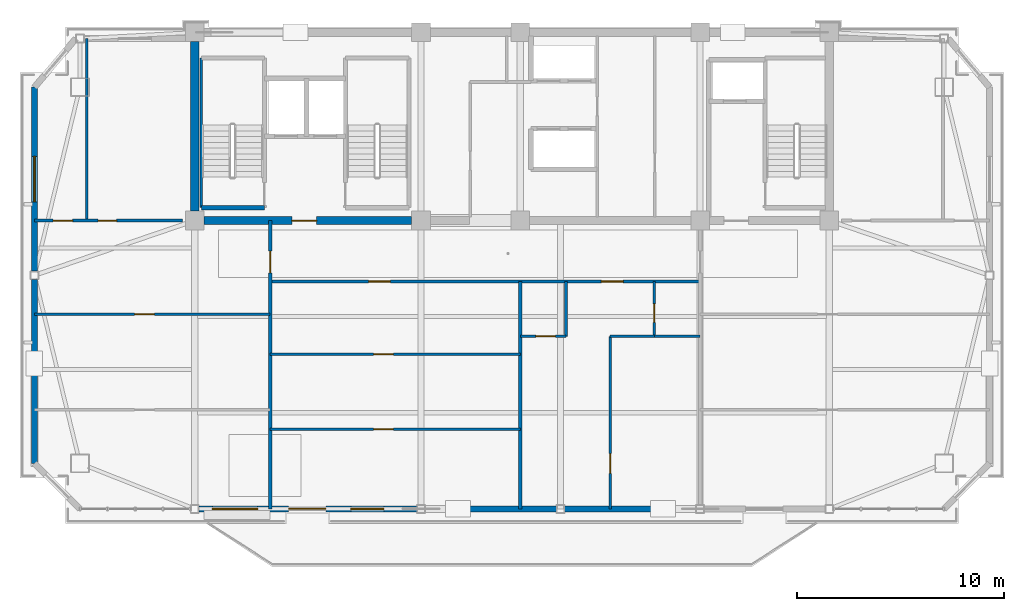
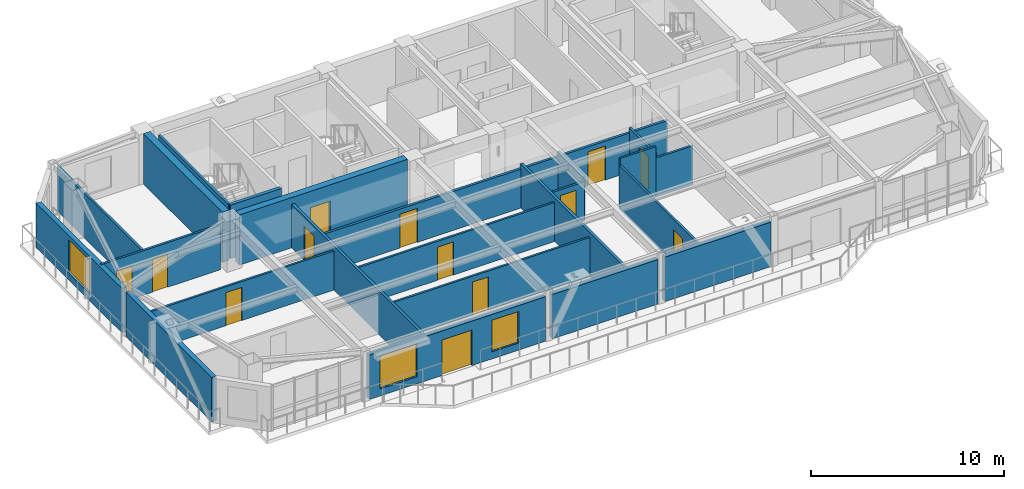
# One storey, part 6 of 12: 23 walls, 13 doors, 3 windows, 16 openings.
"""IFC4 building model written with IfcOpenShell, lengths in metres."""

from ifc_helpers import new_model, si_unit, direction, frame, frame_2d, origin, place, context, subcontext, project, spatial, rectangle, extrude, source, transform, mapped, material, layer, layer_set, type_object, element, fill, save


model = new_model("IFC4")

# Units and contexts
model_context = context("Model", 3, precision=1e-05, world=origin(), true_north=direction((0.0, 1.0)))
body_context = subcontext(model_context, "Body", "Model", "MODEL_VIEW")
ifc_project = project(units=[si_unit("LENGTHUNIT", "METRE"), si_unit("AREAUNIT", "SQUARE_METRE"), si_unit("VOLUMEUNIT", "CUBIC_METRE"), si_unit("PLANEANGLEUNIT", "RADIAN"), si_unit("MASSUNIT", "GRAM", prefix="KILO")], contexts=[model_context])

# Site, building, storey
site_placement = place(None, origin())
site = spatial("IfcSite", under=ifc_project, at=site_placement, CompositionType="ELEMENT")
building_placement = place(site_placement, origin())
building = spatial("IfcBuilding", under=site, at=building_placement, Name="Giltprow Tower", CompositionType="ELEMENT")
storey_placement = place(building_placement, frame((0.0, 0.0, 345.89990234375)))
storey = spatial("IfcBuildingStorey", under=building, at=storey_placement, Name="L90", CompositionType="ELEMENT", Elevation=345.89990234375)

# Wall, openings, windows, door
ifc_material_1 = material(Name="Precast concrete C40", Category="concrete")
ifc_layer_1 = layer(ifc_material_1, 0.280029296875, Name="Precast concrete C40")
ifc_layer_set_1 = layer_set([ifc_layer_1], Name="Precast concrete C40")
wall_type_1 = type_object("IfcWallType", Name="EW-TOW-BRONZE-280", PredefinedType="SOLIDWALL", material=ifc_layer_set_1)
wall_1_placement = place(storey_placement, frame((20.050048828125, 23.5, 0.0), z_axis=(0.0, 0.0, 1.0), x_axis=(1.0, 0.0, 0.0)))
wall_1 = element("IfcWall", 1, at=wall_1_placement, inside=storey, type_object=wall_type_1, Name="L90 South Expressed Frame Wall 2", PredefinedType="SOLIDWALL", context=body_context, shape_type="SweptSolid", body=[
    extrude(rectangle(XDim=10.550048828125, YDim=0.280029296875, at=frame_2d((5.27490234375, 0.0))), origin(), (0.0, 0.0, 1.0), 2.815185546875),
])
opening_1_placement = place(wall_1_placement, frame((4.35009765625, 0.0, 0.0)))
opening_1 = element("IfcOpeningElement", 2, at=opening_1_placement, cuts=wall_1, Name="Opening ED25", PredefinedType="OPENING", context=body_context, shape_type="SweptSolid", body=[
    extrude(rectangle(XDim=1.800048828125, YDim=2.25, at=frame_2d((0.89990234375, 1.125))), frame((0.0, 0.14990234375, 0.0), z_axis=(0.0, -1.0, 0.0), x_axis=(1.0, 0.0, 0.0)), (0.0, 0.0, 1.0), 0.300048828125),
])
opening_2_placement = place(wall_1_placement, frame((0.64990234375, 0.0, 0.449951171875)))
opening_2 = element("IfcOpeningElement", 3, at=opening_2_placement, cuts=wall_1, Name="Opening WN27", PredefinedType="OPENING", context=body_context, shape_type="SweptSolid", body=[
    extrude(rectangle(XDim=2.199951171875, YDim=2.10009765625, at=frame_2d((1.10009765625, 1.050048828125))), frame((0.0, 0.14990234375, 0.0), z_axis=(0.0, -1.0, 0.0), x_axis=(1.0, 0.0, 0.0)), (0.0, 0.0, 1.0), 0.300048828125),
])
opening_3_placement = place(wall_1_placement, frame((7.35009765625, 0.0, 0.449951171875)))
opening_3 = element("IfcOpeningElement", 4, at=opening_3_placement, cuts=wall_1, Name="Opening WN17", PredefinedType="OPENING", context=body_context, shape_type="SweptSolid", body=[
    extrude(rectangle(XDim=1.60009765625, YDim=2.0, at=frame_2d((0.800048828125, 1.0))), frame((0.0, 0.14990234375, 0.0), z_axis=(0.0, -1.0, 0.0), x_axis=(1.0, 0.0, 0.0)), (0.0, 0.0, 1.0), 0.300048828125),
])
ifc_material_2 = material(Name="Insulated glass", Category="glass")
window_type_1 = type_object("IfcWindowType", Name="WN-COR-1600x2000", PartitioningType="SINGLE_PANEL", PredefinedType="WINDOW", material=ifc_material_2)
shared_shape_1 = source(origin(), body_context, "Body", "SweptSolid", [
    extrude(rectangle(XDim=1.60009765625, YDim=2.0, at=frame_2d((0.800048828125, 1.0))), frame((0.0, 0.030029296875, 0.0), z_axis=(0.0, -1.0, 0.0), x_axis=(1.0, 0.0, 0.0)), (0.0, 0.0, 1.0), 0.06005859375),
])
window_1_placement = place(opening_3_placement, origin())
window_1 = element("IfcWindow", 5, at=window_1_placement, inside=storey, type_object=window_type_1, Name="L90 South Window 2B", OverallHeight=2.0, OverallWidth=1.60009765625, PartitioningType="SINGLE_PANEL", PredefinedType="WINDOW", context=body_context, shape_type="MappedRepresentation", body=[
    mapped(shared_shape_1, transform((0.0, 0.0, 0.0), x_axis=(1.0, 0.0, 0.0), y_axis=(0.0, 1.0, 0.0), z_axis=(0.0, 0.0, 1.0), scale=1.0)),
])
fill(opening_3, window_1)
ifc_material_3 = material(Name="Anodized bronze and glass", Category="glass")
door_type_1 = type_object("IfcDoorType", Name="DR-BALC-SLIDE-1800", OperationType="SLIDING_TO_LEFT", PredefinedType="DOOR", material=ifc_material_3)
shared_shape_2 = source(origin(), body_context, "Body", "SweptSolid", [
    extrude(rectangle(XDim=1.800048828125, YDim=2.25, at=frame_2d((0.89990234375, 1.125))), frame((0.0, 0.02490234375, 0.0), z_axis=(0.0, -1.0, 0.0), x_axis=(1.0, 0.0, 0.0)), (0.0, 0.0, 1.0), 0.050048828125),
])
door_1_placement = place(opening_1_placement, origin())
door_1 = element("IfcDoor", 6, at=door_1_placement, inside=storey, type_object=door_type_1, Name="L90 Waterfront Balcony Sliding Door 1", OperationType="SLIDING_TO_LEFT", OverallHeight=2.25, OverallWidth=1.800048828125, PredefinedType="DOOR", context=body_context, shape_type="MappedRepresentation", body=[
    mapped(shared_shape_2, transform((0.0, 0.0, 0.0), x_axis=(1.0, 0.0, 0.0), y_axis=(0.0, 1.0, 0.0), z_axis=(0.0, 0.0, 1.0), scale=1.0)),
])
fill(opening_1, door_1)
window_type_2 = type_object("IfcWindowType", Name="WN-RES-2200x2100", PartitioningType="TRIPLE_PANEL_VERTICAL", PredefinedType="WINDOW", material=ifc_material_2)
shared_shape_3 = source(origin(), body_context, "Body", "SweptSolid", [
    extrude(rectangle(XDim=2.199951171875, YDim=2.10009765625, at=frame_2d((1.10009765625, 1.050048828125))), frame((0.0, 0.030029296875, 0.0), z_axis=(0.0, -1.0, 0.0), x_axis=(1.0, 0.0, 0.0)), (0.0, 0.0, 1.0), 0.06005859375),
])
window_2_placement = place(opening_2_placement, origin())
window_2 = element("IfcWindow", 7, at=window_2_placement, inside=storey, type_object=window_type_2, Name="L90 South Window 2A", OverallHeight=2.10009765625, OverallWidth=2.199951171875, PartitioningType="SINGLE_PANEL", PredefinedType="WINDOW", context=body_context, shape_type="MappedRepresentation", body=[
    mapped(shared_shape_3, transform((0.0, 0.0, 0.0), x_axis=(1.0, 0.0, 0.0), y_axis=(0.0, 1.0, 0.0), z_axis=(0.0, 0.0, 1.0), scale=1.0)),
])
fill(opening_2, window_2)

# Walls
for number, where, z_axis, x_axis, name in (
    (8, (31.0, 23.5, 0.0), (0.0, 0.0, 1.0), (1.0, 0.0, 0.0), "L90 South Expressed Frame Wall 3"),
    (9, (37.75, 23.5, 0.0), (0.0, 0.0, 1.0), (1.0, 0.0, 0.0), "L90 South Expressed Frame Wall 4"),
):
    element("IfcWall", number, at=place(storey_placement, frame(where, z_axis=z_axis, x_axis=x_axis)), inside=storey, type_object=wall_type_1, Name=name, PredefinedType="SOLIDWALL", context=body_context, shape_type="SweptSolid", body=[
        extrude(rectangle(XDim=6.35009765625, YDim=0.280029296875, at=frame_2d((3.175048828125, 0.0))), origin(), (0.0, 0.0, 1.0), 2.815185546875),
    ])
wall_2_placement = place(storey_placement, frame((12.10009765625, 25.699951171875, 0.0), z_axis=(0.0, 0.0, 1.0), x_axis=(0.0, 1.0, 0.0)))
element("IfcWall", 10, at=wall_2_placement, inside=storey, type_object=wall_type_1, Name="L90 W Wing Masonry Wall 1", PredefinedType="SOLIDWALL", context=body_context, shape_type="SweptSolid", body=[
    extrude(rectangle(XDim=8.900146484375, YDim=0.280029296875, at=frame_2d((4.4501953125, 0.0))), origin(), (0.0, 0.0, 1.0), 2.815185546875),
])

# Wall, opening, window
wall_3_placement = place(storey_placement, frame((12.10009765625, 35.0, 0.0), z_axis=(0.0, 0.0, 1.0), x_axis=(0.0, 1.0, 0.0)))
wall_3 = element("IfcWall", 11, at=wall_3_placement, inside=storey, type_object=wall_type_1, Name="L90 W Wing Masonry Wall 2", PredefinedType="SOLIDWALL", context=body_context, shape_type="SweptSolid", body=[
    extrude(rectangle(XDim=8.89990234375, YDim=0.280029296875, at=frame_2d((4.449951171875, 0.0))), origin(), (0.0, 0.0, 1.0), 2.815185546875),
])
opening_4_placement = place(wall_3_placement, frame((3.35009765625, 0.0, 0.449951171875)))
opening_4 = element("IfcOpeningElement", 12, at=opening_4_placement, cuts=wall_3, Name="Opening WN27", PredefinedType="OPENING", context=body_context, shape_type="SweptSolid", body=[
    extrude(rectangle(XDim=2.199951171875, YDim=2.10009765625, at=frame_2d((1.10009765625, 1.050048828125))), frame((0.0, 0.14990234375, 0.0), z_axis=(0.0, -1.0, 0.0), x_axis=(1.0, 0.0, 0.0)), (0.0, 0.0, 1.0), 0.300048828125),
])
window_3_placement = place(opening_4_placement, origin())
window_3 = element("IfcWindow", 13, at=window_3_placement, inside=storey, type_object=window_type_2, Name="L90 W Wing Window 2-1", OverallHeight=2.10009765625, OverallWidth=2.199951171875, PartitioningType="SINGLE_PANEL", PredefinedType="WINDOW", context=body_context, shape_type="MappedRepresentation", body=[
    mapped(shared_shape_3, transform((0.0, 0.0, 0.0), x_axis=(1.0, 0.0, 0.0), y_axis=(0.0, 1.0, 0.0), z_axis=(0.0, 0.0, 1.0), scale=1.0)),
])
fill(opening_4, window_3)

# Wall, openings, doors
ifc_material_4 = material(Name="Gypsum stud partition", Category="gypsum")
ifc_layer_2 = layer(ifc_material_4, 0.14990234375, Name="Gypsum stud partition")
ifc_layer_set_2 = layer_set([ifc_layer_2], Name="Gypsum stud partition")
wall_type_2 = type_object("IfcWallType", Name="IW-CORR-150", PredefinedType="PARTITIONING", material=ifc_layer_set_2)
wall_4_placement = place(storey_placement, frame((23.5, 34.5, 0.0), z_axis=(0.0, 0.0, 1.0), x_axis=(1.0, 0.0, 0.0)))
wall_4 = element("IfcWall", 14, at=wall_4_placement, inside=storey, type_object=wall_type_2, Name="L90 Residence Gallery Corridor Wall", PredefinedType="PARTITIONING", context=body_context, shape_type="SweptSolid", body=[
    extrude(rectangle(XDim=20.800048828125, YDim=0.14990234375, at=frame_2d((10.39990234375, 0.0))), origin(), (0.0, 0.0, 1.0), 2.47021484375),
])
opening_5_placement = place(wall_4_placement, frame((4.76708984375, 0.0, 0.0)))
opening_5 = element("IfcOpeningElement", 15, at=opening_5_placement, cuts=wall_4, Name="Opening ID31", PredefinedType="OPENING", context=body_context, shape_type="SweptSolid", body=[
    extrude(rectangle(XDim=1.050048828125, YDim=2.14990234375, at=frame_2d((0.52490234375, 1.074951171875))), frame((0.0, 0.0849609375, 0.0), z_axis=(0.0, -1.0, 0.0), x_axis=(1.0, 0.0, 0.0)), (0.0, 0.0, 1.0), 0.169921875),
])
opening_6_placement = place(wall_4_placement, frame((16.02490234375, 0.0, 0.0)))
opening_6 = element("IfcOpeningElement", 16, at=opening_6_placement, cuts=wall_4, Name="Opening ID31", PredefinedType="OPENING", context=body_context, shape_type="SweptSolid", body=[
    extrude(rectangle(XDim=1.050048828125, YDim=2.14990234375, at=frame_2d((0.52490234375, 1.074951171875))), frame((0.0, 0.0849609375, 0.0), z_axis=(0.0, -1.0, 0.0), x_axis=(1.0, 0.0, 0.0)), (0.0, 0.0, 1.0), 0.169921875),
])
ifc_material_5 = material(Name="Engineered timber", Category="wood")
door_type_2 = type_object("IfcDoorType", Name="DR-SUITE-1050", OperationType="SINGLE_SWING_LEFT", PredefinedType="DOOR", material=ifc_material_5)
shared_shape_4 = source(origin(), body_context, "Body", "SweptSolid", [
    extrude(rectangle(XDim=1.050048828125, YDim=2.14990234375, at=frame_2d((0.52490234375, 1.074951171875))), frame((0.0, 0.02490234375, 0.0), z_axis=(0.0, -1.0, 0.0), x_axis=(1.0, 0.0, 0.0)), (0.0, 0.0, 1.0), 0.050048828125),
])
door_2_placement = place(opening_5_placement, origin())
door_2 = element("IfcDoor", 17, at=door_2_placement, inside=storey, type_object=door_type_2, Name="L90 Residents Sky Club Lounge North Door", OperationType="SINGLE_SWING_LEFT", OverallHeight=2.14990234375, OverallWidth=1.050048828125, PredefinedType="DOOR", context=body_context, shape_type="MappedRepresentation", body=[
    mapped(shared_shape_4, transform((0.0, 0.0, 0.0), x_axis=(1.0, 0.0, 0.0), y_axis=(0.0, 1.0, 0.0), z_axis=(0.0, 0.0, 1.0), scale=1.0)),
])
fill(opening_5, door_2)
door_3_placement = place(opening_6_placement, origin())
door_3 = element("IfcDoor", 18, at=door_3_placement, inside=storey, type_object=door_type_2, Name="L90 Unit 1 Entrance Door", OperationType="SINGLE_SWING_RIGHT", OverallHeight=2.14990234375, OverallWidth=1.050048828125, PredefinedType="DOOR", context=body_context, shape_type="MappedRepresentation", body=[
    mapped(shared_shape_4, transform((0.0, 0.0, 0.0), x_axis=(1.0, 0.0, 0.0), y_axis=(0.0, 1.0, 0.0), z_axis=(0.0, 0.0, 1.0), scale=1.0)),
])
fill(opening_6, door_3)

# Wall, opening, door
ifc_layer_3 = layer(ifc_material_4, 0.159912109375, Name="Gypsum stud partition")
ifc_layer_set_3 = layer_set([ifc_layer_3], Name="Gypsum stud partition")
wall_type_3 = type_object("IfcWallType", Name="IW-DEMISE-160", PredefinedType="PARTITIONING", material=ifc_layer_set_3)
wall_5_placement = place(storey_placement, frame((23.5, 23.5, 0.0), z_axis=(0.0, 0.0, 1.0), x_axis=(0.0, 1.0, 0.0)))
wall_5 = element("IfcWall", 19, at=wall_5_placement, inside=storey, type_object=wall_type_3, Name="L90 Apartment Party Wall 1", PredefinedType="PARTITIONING", context=body_context, shape_type="SweptSolid", body=[
    extrude(rectangle(XDim=13.949951171875, YDim=0.159912109375, at=frame_2d((6.97509765625, 0.0))), origin(), (0.0, 0.0, 1.0), 2.77001953125),
])
opening_7_placement = place(wall_5_placement, frame((11.419921875, 0.0, 0.0)))
opening_7 = element("IfcOpeningElement", 20, at=opening_7_placement, cuts=wall_5, Name="Opening ID31", PredefinedType="OPENING", context=body_context, shape_type="SweptSolid", body=[
    extrude(rectangle(XDim=1.050048828125, YDim=2.14990234375, at=frame_2d((0.52490234375, 1.074951171875))), frame((0.0, 0.08984375, 0.0), z_axis=(0.0, -1.0, 0.0), x_axis=(1.0, 0.0, 0.0)), (0.0, 0.0, 1.0), 0.179931640625),
])
door_4_placement = place(opening_7_placement, origin())
door_4 = element("IfcDoor", 21, at=door_4_placement, inside=storey, type_object=door_type_2, Name="L90 Penthouse Art Gallery Shop 1 Corridor End Door", OperationType="SINGLE_SWING_RIGHT", OverallHeight=2.14990234375, OverallWidth=1.050048828125, PredefinedType="DOOR", context=body_context, shape_type="MappedRepresentation", body=[
    mapped(shared_shape_4, transform((0.0, 0.0, 0.0), x_axis=(1.0, 0.0, 0.0), y_axis=(0.0, 1.0, 0.0), z_axis=(0.0, 0.0, 1.0), scale=1.0)),
])
fill(opening_7, door_4)

# Wall
wall_6_placement = place(storey_placement, frame((35.60009765625, 23.5, 0.0), z_axis=(0.0, 0.0, 1.0), x_axis=(0.0, 1.0, 0.0)))
element("IfcWall", 22, at=wall_6_placement, inside=storey, type_object=wall_type_3, Name="L90 Apartment Party Wall 2", PredefinedType="PARTITIONING", context=body_context, shape_type="SweptSolid", body=[
    extrude(rectangle(XDim=11.0, YDim=0.159912109375, at=frame_2d((5.5, 0.0))), origin(), (0.0, 0.0, 1.0), 2.77001953125),
])

# Wall, opening, door
ifc_layer_4 = layer(ifc_material_4, 0.1201171875, Name="Gypsum stud partition")
ifc_layer_set_4 = layer_set([ifc_layer_4], Name="Gypsum stud partition")
wall_type_4 = type_object("IfcWallType", Name="IW-ROOM-120", PredefinedType="PARTITIONING", material=ifc_layer_set_4)
wall_7_placement = place(storey_placement, frame((12.10009765625, 32.9140625, 0.0), z_axis=(0.0, 0.0, 1.0), x_axis=(1.0, 0.0, 0.0)))
wall_7 = element("IfcWall", 23, at=wall_7_placement, inside=storey, type_object=wall_type_4, Name="L90 Special Split 2", PredefinedType="PARTITIONING", context=body_context, shape_type="SweptSolid", body=[
    extrude(rectangle(XDim=11.39990234375, YDim=0.1201171875, at=frame_2d((5.699951171875, 0.0))), origin(), (0.0, 0.0, 1.0), 2.47021484375),
])
opening_8_placement = place(wall_7_placement, frame((4.845947265625, 0.0, 0.0)))
opening_8 = element("IfcOpeningElement", 24, at=opening_8_placement, cuts=wall_7, Name="Opening ID11", PredefinedType="OPENING", context=body_context, shape_type="SweptSolid", body=[
    extrude(rectangle(XDim=0.949951171875, YDim=2.10009765625, at=frame_2d((0.47509765625, 1.050048828125))), frame((0.0, 0.070068359375, 0.0), z_axis=(0.0, -1.0, 0.0), x_axis=(1.0, 0.0, 0.0)), (0.0, 0.0, 1.0), 0.14013671875),
])
door_type_3 = type_object("IfcDoorType", Name="DR-ROOM-950", OperationType="SINGLE_SWING_RIGHT", PredefinedType="DOOR", material=ifc_material_5)
shared_shape_5 = source(origin(), body_context, "Body", "SweptSolid", [
    extrude(rectangle(XDim=0.949951171875, YDim=2.10009765625, at=frame_2d((0.47509765625, 1.050048828125))), frame((0.0, 0.02490234375, 0.0), z_axis=(0.0, -1.0, 0.0), x_axis=(1.0, 0.0, 0.0)), (0.0, 0.0, 1.0), 0.050048828125),
])
door_5_placement = place(opening_8_placement, origin())
door_5 = element("IfcDoor", 25, at=door_5_placement, inside=storey, type_object=door_type_3, Name="L90 Penthouse Art Gallery Shop 1 Mid Door", OperationType="SINGLE_SWING_LEFT", OverallHeight=2.10009765625, OverallWidth=0.949951171875, PredefinedType="DOOR", context=body_context, shape_type="MappedRepresentation", body=[
    mapped(shared_shape_5, transform((0.0, 0.0, 0.0), x_axis=(1.0, 0.0, 0.0), y_axis=(0.0, 1.0, 0.0), z_axis=(0.0, 0.0, 1.0), scale=1.0)),
])
fill(opening_8, door_5)

wall_8_placement = place(storey_placement, frame((23.5, 27.344970703125, 0.0), z_axis=(0.0, 0.0, 1.0), x_axis=(1.0, 0.0, 0.0)))
wall_8 = element("IfcWall", 26, at=wall_8_placement, inside=storey, type_object=wall_type_4, Name="L90 Special Split 1", PredefinedType="PARTITIONING", context=body_context, shape_type="SweptSolid", body=[
    extrude(rectangle(XDim=12.10009765625, YDim=0.1201171875, at=frame_2d((6.050048828125, 0.0))), origin(), (0.0, 0.0, 1.0), 2.47021484375),
])
opening_9_placement = place(wall_8_placement, frame((5.006103515625, 0.0, 0.0)))
opening_9 = element("IfcOpeningElement", 27, at=opening_9_placement, cuts=wall_8, Name="Opening ID11", PredefinedType="OPENING", context=body_context, shape_type="SweptSolid", body=[
    extrude(rectangle(XDim=0.949951171875, YDim=2.10009765625, at=frame_2d((0.47509765625, 1.050048828125))), frame((0.0, 0.070068359375, 0.0), z_axis=(0.0, -1.0, 0.0), x_axis=(1.0, 0.0, 0.0)), (0.0, 0.0, 1.0), 0.14013671875),
])
door_6_placement = place(opening_9_placement, origin())
door_6 = element("IfcDoor", 28, at=door_6_placement, inside=storey, type_object=door_type_3, Name="L90 Residents Sky Club Lounge South Door", OperationType="SINGLE_SWING_LEFT", OverallHeight=2.10009765625, OverallWidth=0.949951171875, PredefinedType="DOOR", context=body_context, shape_type="MappedRepresentation", body=[
    mapped(shared_shape_5, transform((0.0, 0.0, 0.0), x_axis=(1.0, 0.0, 0.0), y_axis=(0.0, 1.0, 0.0), z_axis=(0.0, 0.0, 1.0), scale=1.0)),
])
fill(opening_9, door_6)

wall_9_placement = place(storey_placement, frame((23.5, 30.989990234375, 0.0), z_axis=(0.0, 0.0, 1.0), x_axis=(1.0, 0.0, 0.0)))
wall_9 = element("IfcWall", 29, at=wall_9_placement, inside=storey, type_object=wall_type_4, Name="L90 Special Split 2", PredefinedType="PARTITIONING", context=body_context, shape_type="SweptSolid", body=[
    extrude(rectangle(XDim=12.10009765625, YDim=0.1201171875, at=frame_2d((6.050048828125, 0.0))), origin(), (0.0, 0.0, 1.0), 2.47021484375),
])
opening_10_placement = place(wall_9_placement, frame((5.006103515625, 0.0, 0.0)))
opening_10 = element("IfcOpeningElement", 30, at=opening_10_placement, cuts=wall_9, Name="Opening ID11", PredefinedType="OPENING", context=body_context, shape_type="SweptSolid", body=[
    extrude(rectangle(XDim=0.949951171875, YDim=2.10009765625, at=frame_2d((0.47509765625, 1.050048828125))), frame((0.0, 0.070068359375, 0.0), z_axis=(0.0, -1.0, 0.0), x_axis=(1.0, 0.0, 0.0)), (0.0, 0.0, 1.0), 0.14013671875),
])
door_7_placement = place(opening_10_placement, origin())
door_7 = element("IfcDoor", 31, at=door_7_placement, inside=storey, type_object=door_type_3, Name="L90 Residents Sky Club Lounge Mid Door", OperationType="SINGLE_SWING_RIGHT", OverallHeight=2.10009765625, OverallWidth=0.949951171875, PredefinedType="DOOR", context=body_context, shape_type="MappedRepresentation", body=[
    mapped(shared_shape_5, transform((0.0, 0.0, 0.0), x_axis=(1.0, 0.0, 0.0), y_axis=(0.0, 1.0, 0.0), z_axis=(0.0, 0.0, 1.0), scale=1.0)),
])
fill(opening_10, door_7)

# Wall
wall_10_placement = place(storey_placement, frame((39.949951171875, 31.85009765625, 0.0), z_axis=(0.0, 0.0, 1.0), x_axis=(1.0, 0.0, 0.0)))
element("IfcWall", 32, at=wall_10_placement, inside=storey, type_object=wall_type_4, Name="L90 Unit 1 Bedroom North Wall", PredefinedType="PARTITIONING", context=body_context, shape_type="SweptSolid", body=[
    extrude(rectangle(XDim=2.135009765625, YDim=0.1201171875, at=frame_2d((1.0673828125, 0.0))), origin(), (0.0, 0.0, 1.0), 3.18505859375),
])

# Wall, opening, door
wall_11_placement = place(storey_placement, frame((39.949951171875, 23.5, 0.0), z_axis=(0.0, 0.0, 1.0), x_axis=(0.0, 1.0, 0.0)))
wall_11 = element("IfcWall", 33, at=wall_11_placement, inside=storey, type_object=wall_type_4, Name="L90 Unit 1 Bedroom Wall", PredefinedType="PARTITIONING", context=body_context, shape_type="SweptSolid", body=[
    extrude(rectangle(XDim=8.35009765625, YDim=0.1201171875, at=frame_2d((4.175048828125, 0.0))), origin(), (0.0, 0.0, 1.0), 2.77001953125),
])
opening_11_placement = place(wall_11_placement, frame((1.719970703125, 0.0, 0.0)))
opening_11 = element("IfcOpeningElement", 34, at=opening_11_placement, cuts=wall_11, Name="Opening ID11", PredefinedType="OPENING", context=body_context, shape_type="SweptSolid", body=[
    extrude(rectangle(XDim=0.949951171875, YDim=2.10009765625, at=frame_2d((0.47509765625, 1.050048828125))), frame((0.0, 0.070068359375, 0.0), z_axis=(0.0, -1.0, 0.0), x_axis=(1.0, 0.0, 0.0)), (0.0, 0.0, 1.0), 0.14013671875),
])
door_8_placement = place(opening_11_placement, origin())
door_8 = element("IfcDoor", 35, at=door_8_placement, inside=storey, type_object=door_type_3, Name="L90 Unit 1 Primary Bedroom Door", OperationType="SINGLE_SWING_LEFT", OverallHeight=2.10009765625, OverallWidth=0.949951171875, PredefinedType="DOOR", context=body_context, shape_type="MappedRepresentation", body=[
    mapped(shared_shape_5, transform((0.0, 0.0, 0.0), x_axis=(1.0, 0.0, 0.0), y_axis=(0.0, 1.0, 0.0), z_axis=(0.0, 0.0, 1.0), scale=1.0)),
])
fill(opening_11, door_8)

# Walls
ifc_material_6 = material(Name="Concrete C45", Category="concrete")
ifc_layer_5 = layer(ifc_material_6, 0.139892578125, Name="Concrete C45")
ifc_layer_set_5 = layer_set([ifc_layer_5], Name="Concrete C45")
wall_type_5 = type_object("IfcWallType", Name="IW-STAIR-140", PredefinedType="SOLIDWALL", material=ifc_layer_set_5)
wall_12_placement = place(storey_placement, frame((20.169921875, 38.070068359375, 0.0), z_axis=(0.0, 0.0, 1.0), x_axis=(0.0, 1.0, 0.0)))
element("IfcWall", 36, at=wall_12_placement, inside=storey, type_object=wall_type_5, Name="L90 Stair ST-1 West Bearing Wall", PredefinedType="SOLIDWALL", context=body_context, shape_type="SweptSolid", body=[
    extrude(rectangle(XDim=7.25, YDim=0.139892578125, at=frame_2d((3.625, 0.0))), origin(), (0.0, 0.0, 1.0), 3.400146484375),
])
ifc_material_7 = material(Name="Concrete C40", Category="concrete")
ifc_layer_6 = layer(ifc_material_7, 0.199951171875, Name="Concrete C40")
ifc_layer_set_6 = layer_set([ifc_layer_6], Name="Concrete C40")
wall_type_6 = type_object("IfcWallType", Name="IW-STAIR-200", PredefinedType="SOLIDWALL", material=ifc_layer_set_6)
wall_13_placement = place(storey_placement, frame((20.169921875, 38.070068359375, 0.0), z_axis=(0.0, 0.0, 1.0), x_axis=(1.0, 0.0, 0.0)))
element("IfcWall", 37, at=wall_13_placement, inside=storey, type_object=wall_type_6, Name="L90 Stair ST-1 South Bearing Wall", PredefinedType="SOLIDWALL", context=body_context, shape_type="SweptSolid", body=[
    extrude(rectangle(XDim=3.050048828125, YDim=0.199951171875, at=frame_2d((1.52490234375, 0.0))), origin(), (0.0, 0.0, 1.0), 3.400146484375),
])

# Wall, opening, door
ifc_material_8 = material(Name="Concrete C30", Category="concrete")
ifc_layer_7 = layer(ifc_material_8, 0.1298828125, Name="Concrete C30")
ifc_layer_set_7 = layer_set([ifc_layer_7], Name="Concrete C30")
wall_type_7 = type_object("IfcWallType", Name="IW-WET-130", PredefinedType="PARTITIONING", material=ifc_layer_set_7)
wall_14_placement = place(storey_placement, frame((35.60009765625, 31.85009765625, 0.0), z_axis=(0.0, 0.0, 1.0), x_axis=(1.0, 0.0, 0.0)))
wall_14 = element("IfcWall", 38, at=wall_14_placement, inside=storey, type_object=wall_type_7, Name="L90 Unit 1 Kitchen South Wall", PredefinedType="PARTITIONING", context=body_context, shape_type="SweptSolid", body=[
    extrude(rectangle(XDim=2.21484375, YDim=0.1298828125, at=frame_2d((1.107421875, 0.0))), origin(), (0.0, 0.0, 1.0), 2.47021484375),
])
opening_12_placement = place(wall_14_placement, frame((0.751953125, 0.0, 0.0)))
opening_12 = element("IfcOpeningElement", 39, at=opening_12_placement, cuts=wall_14, Name="Opening ID11", PredefinedType="OPENING", context=body_context, shape_type="SweptSolid", body=[
    extrude(rectangle(XDim=0.949951171875, YDim=2.10009765625, at=frame_2d((0.47509765625, 1.050048828125))), frame((0.0, 0.074951171875, 0.0), z_axis=(0.0, -1.0, 0.0), x_axis=(1.0, 0.0, 0.0)), (0.0, 0.0, 1.0), 0.14990234375),
])
door_9_placement = place(opening_12_placement, origin())
door_9 = element("IfcDoor", 40, at=door_9_placement, inside=storey, type_object=door_type_3, Name="L90 Unit 1 Kitchen Door", OperationType="SINGLE_SWING_LEFT", OverallHeight=2.10009765625, OverallWidth=0.949951171875, PredefinedType="DOOR", context=body_context, shape_type="MappedRepresentation", body=[
    mapped(shared_shape_5, transform((0.0, 0.0, 0.0), x_axis=(1.0, 0.0, 0.0), y_axis=(0.0, 1.0, 0.0), z_axis=(0.0, 0.0, 1.0), scale=1.0)),
])
fill(opening_12, door_9)

# Walls
wall_15_placement = place(storey_placement, frame((37.81494140625, 31.85009765625, 0.0), z_axis=(0.0, 0.0, 1.0), x_axis=(0.0, 1.0, 0.0)))
element("IfcWall", 41, at=wall_15_placement, inside=storey, type_object=wall_type_7, Name="L90 Unit 1 Kitchen East Wall", PredefinedType="PARTITIONING", context=body_context, shape_type="SweptSolid", body=[
    extrude(rectangle(XDim=2.64990234375, YDim=0.1298828125, at=frame_2d((1.324951171875, 0.0))), origin(), (0.0, 0.0, 1.0), 2.77001953125),
])
wall_16_placement = place(storey_placement, frame((42.0849609375, 31.85009765625, 0.0), z_axis=(0.0, 0.0, 1.0), x_axis=(1.0, 0.0, 0.0)))
element("IfcWall", 42, at=wall_16_placement, inside=storey, type_object=wall_type_7, Name="L90 Unit 1 Bathroom South Wall", PredefinedType="PARTITIONING", context=body_context, shape_type="SweptSolid", body=[
    extrude(rectangle(XDim=2.215087890625, YDim=0.1298828125, at=frame_2d((1.107421875, 0.0))), origin(), (0.0, 0.0, 1.0), 2.47021484375),
])

# Wall, opening, door
wall_17_placement = place(storey_placement, frame((42.0849609375, 31.85009765625, 0.0), z_axis=(0.0, 0.0, 1.0), x_axis=(0.0, 1.0, 0.0)))
wall_17 = element("IfcWall", 43, at=wall_17_placement, inside=storey, type_object=wall_type_7, Name="L90 Unit 1 Bathroom West Wall", PredefinedType="PARTITIONING", context=body_context, shape_type="SweptSolid", body=[
    extrude(rectangle(XDim=2.64990234375, YDim=0.1298828125, at=frame_2d((1.324951171875, 0.0))), origin(), (0.0, 0.0, 1.0), 2.77001953125),
])
opening_13_placement = place(wall_17_placement, frame((0.669921875, 0.0, 0.0)))
opening_13 = element("IfcOpeningElement", 44, at=opening_13_placement, cuts=wall_17, Name="Opening ID15", PredefinedType="OPENING", context=body_context, shape_type="SweptSolid", body=[
    extrude(rectangle(XDim=0.89990234375, YDim=2.10009765625, at=frame_2d((0.449951171875, 1.050048828125))), frame((0.0, 0.074951171875, 0.0), z_axis=(0.0, -1.0, 0.0), x_axis=(1.0, 0.0, 0.0)), (0.0, 0.0, 1.0), 0.14990234375),
])
door_type_4 = type_object("IfcDoorType", Name="DR-WC-900", OperationType="SINGLE_SWING_LEFT", PredefinedType="DOOR", material=ifc_material_5)
shared_shape_6 = source(origin(), body_context, "Body", "SweptSolid", [
    extrude(rectangle(XDim=0.89990234375, YDim=2.10009765625, at=frame_2d((0.449951171875, 1.050048828125))), frame((0.0, 0.02490234375, 0.0), z_axis=(0.0, -1.0, 0.0), x_axis=(1.0, 0.0, 0.0)), (0.0, 0.0, 1.0), 0.050048828125),
])
door_10_placement = place(opening_13_placement, origin())
door_10 = element("IfcDoor", 45, at=door_10_placement, inside=storey, type_object=door_type_4, Name="L90 Unit 1 Bathroom Door", OperationType="SINGLE_SWING_RIGHT", OverallHeight=2.10009765625, OverallWidth=0.89990234375, PredefinedType="DOOR", context=body_context, shape_type="MappedRepresentation", body=[
    mapped(shared_shape_6, transform((0.0, 0.0, 0.0), x_axis=(1.0, 0.0, 0.0), y_axis=(0.0, 1.0, 0.0), z_axis=(0.0, 0.0, 1.0), scale=1.0)),
])
fill(opening_13, door_10)

# Wall, openings, doors
wall_18_placement = place(storey_placement, frame((12.10009765625, 37.449951171875, 0.0), z_axis=(0.0, 0.0, 1.0), x_axis=(1.0, 0.0, 0.0)))
wall_18 = element("IfcWall", 46, at=wall_18_placement, inside=storey, type_object=wall_type_7, Name="L90 NW Wing South Wall", PredefinedType="PARTITIONING", context=body_context, shape_type="SweptSolid", body=[
    extrude(rectangle(XDim=7.14990234375, YDim=0.1298828125, at=frame_2d((3.574951171875, 0.0))), origin(), (0.0, 0.0, 1.0), 2.820068359375),
])
opening_14_placement = place(wall_18_placement, frame((0.89990234375, 0.0, 0.0)))
opening_14 = element("IfcOpeningElement", 47, at=opening_14_placement, cuts=wall_18, Name="Opening ID11", PredefinedType="OPENING", context=body_context, shape_type="SweptSolid", body=[
    extrude(rectangle(XDim=0.949951171875, YDim=2.10009765625, at=frame_2d((0.47509765625, 1.050048828125))), frame((0.0, 0.074951171875, 0.0), z_axis=(0.0, -1.0, 0.0), x_axis=(1.0, 0.0, 0.0)), (0.0, 0.0, 1.0), 0.14990234375),
])
opening_15_placement = place(wall_18_placement, frame((3.0791015625, 0.0, 0.0)))
opening_15 = element("IfcOpeningElement", 48, at=opening_15_placement, cuts=wall_18, Name="Opening ID15", PredefinedType="OPENING", context=body_context, shape_type="SweptSolid", body=[
    extrude(rectangle(XDim=0.89990234375, YDim=2.10009765625, at=frame_2d((0.449951171875, 1.050048828125))), frame((0.0, 0.074951171875, 0.0), z_axis=(0.0, -1.0, 0.0), x_axis=(1.0, 0.0, 0.0)), (0.0, 0.0, 1.0), 0.14990234375),
])
door_11_placement = place(opening_15_placement, origin())
door_11 = element("IfcDoor", 49, at=door_11_placement, inside=storey, type_object=door_type_4, Name="L90 NW Washroom Door", OperationType="SINGLE_SWING_RIGHT", OverallHeight=2.10009765625, OverallWidth=0.89990234375, PredefinedType="DOOR", context=body_context, shape_type="MappedRepresentation", body=[
    mapped(shared_shape_6, transform((0.0, 0.0, 0.0), x_axis=(1.0, 0.0, 0.0), y_axis=(0.0, 1.0, 0.0), z_axis=(0.0, 0.0, 1.0), scale=1.0)),
])
fill(opening_15, door_11)
door_12_placement = place(opening_14_placement, origin())
door_12 = element("IfcDoor", 50, at=door_12_placement, inside=storey, type_object=door_type_3, Name="L90 Residents Study Office West Door", OperationType="SINGLE_SWING_LEFT", OverallHeight=2.10009765625, OverallWidth=0.949951171875, PredefinedType="DOOR", context=body_context, shape_type="MappedRepresentation", body=[
    mapped(shared_shape_5, transform((0.0, 0.0, 0.0), x_axis=(1.0, 0.0, 0.0), y_axis=(0.0, 1.0, 0.0), z_axis=(0.0, 0.0, 1.0), scale=1.0)),
])
fill(opening_14, door_12)

# Wall
wall_19_placement = place(storey_placement, frame((14.62890625, 37.449951171875, 0.0), z_axis=(0.0, 0.0, 1.0), x_axis=(0.0, 1.0, 0.0)))
element("IfcWall", 51, at=wall_19_placement, inside=storey, type_object=wall_type_7, Name="L90 NW Wing Divider", PredefinedType="PARTITIONING", context=body_context, shape_type="SweptSolid", body=[
    extrude(rectangle(XDim=8.800048828125, YDim=0.1298828125, at=frame_2d((4.39990234375, 0.0))), origin(), (0.0, 0.0, 1.0), 2.820068359375),
])

# Wall, opening, door
ifc_layer_8 = layer(ifc_material_6, 0.39990234375, Name="Concrete C45")
ifc_layer_set_8 = layer_set([ifc_layer_8], Name="Concrete C45")
wall_type_8 = type_object("IfcWallType", Name="SW-INT-400-C45", PredefinedType="SHEAR", material=ifc_layer_set_8)
wall_20_placement = place(storey_placement, frame((20.300048828125, 37.449951171875, 0.0), z_axis=(0.0, 0.0, 1.0), x_axis=(1.0, 0.0, 0.0)))
wall_20 = element("IfcWall", 52, at=wall_20_placement, inside=storey, type_object=wall_type_8, Name="L90 South Rear Core Shear Wall West", PredefinedType="SHEAR", context=body_context, shape_type="SweptSolid", body=[
    extrude(rectangle(XDim=10.050048828125, YDim=0.39990234375, at=frame_2d((5.02490234375, 0.0))), origin(), (0.0, 0.0, 1.0), 3.18505859375),
])
opening_16_placement = place(wall_20_placement, frame((4.25, 0.0, 0.0)))
opening_16 = element("IfcOpeningElement", 53, at=opening_16_placement, cuts=wall_20, Name="Opening ID19", PredefinedType="OPENING", context=body_context, shape_type="SweptSolid", body=[
    extrude(rectangle(XDim=1.199951171875, YDim=2.14990234375, at=frame_2d((0.60009765625, 1.074951171875))), frame((0.0, 0.2099609375, 0.0), z_axis=(0.0, -1.0, 0.0), x_axis=(1.0, 0.0, 0.0)), (0.0, 0.0, 1.0), 0.419921875),
])
ifc_material_9 = material(Name="Steel fire leaf", Category="steel")
door_type_5 = type_object("IfcDoorType", Name="DR-FFLOBBY-1200", OperationType="SINGLE_SWING_RIGHT", PredefinedType="DOOR", material=ifc_material_9)
shared_shape_7 = source(origin(), body_context, "Body", "SweptSolid", [
    extrude(rectangle(XDim=1.199951171875, YDim=2.14990234375, at=frame_2d((0.60009765625, 1.074951171875))), frame((0.0, 0.02490234375, 0.0), z_axis=(0.0, -1.0, 0.0), x_axis=(1.0, 0.0, 0.0)), (0.0, 0.0, 1.0), 0.050048828125),
])
door_13_placement = place(opening_16_placement, origin())
door_13 = element("IfcDoor", 54, at=door_13_placement, inside=storey, type_object=door_type_5, Name="L90 West Firefighting Lobby Entry Door", OperationType="SINGLE_SWING_LEFT", OverallHeight=2.14990234375, OverallWidth=1.199951171875, PredefinedType="DOOR", context=body_context, shape_type="MappedRepresentation", body=[
    mapped(shared_shape_7, transform((0.0, 0.0, 0.0), x_axis=(1.0, 0.0, 0.0), y_axis=(0.0, 1.0, 0.0), z_axis=(0.0, 0.0, 1.0), scale=1.0)),
])
fill(opening_16, door_13)

# Wall
wall_21_placement = place(storey_placement, frame((19.85009765625, 37.89990234375, 0.0), z_axis=(0.0, 0.0, 1.0), x_axis=(0.0, 1.0, 0.0)))
element("IfcWall", 55, at=wall_21_placement, inside=storey, type_object=wall_type_8, Name="L90 W Rear Core Shear Wall", PredefinedType="SHEAR", context=body_context, shape_type="SweptSolid", body=[
    extrude(rectangle(XDim=8.2001953125, YDim=0.39990234375, at=frame_2d((4.10009765625, 0.0))), origin(), (0.0, 0.0, 1.0), 3.18505859375),
])

save(model, "model.ifc")
